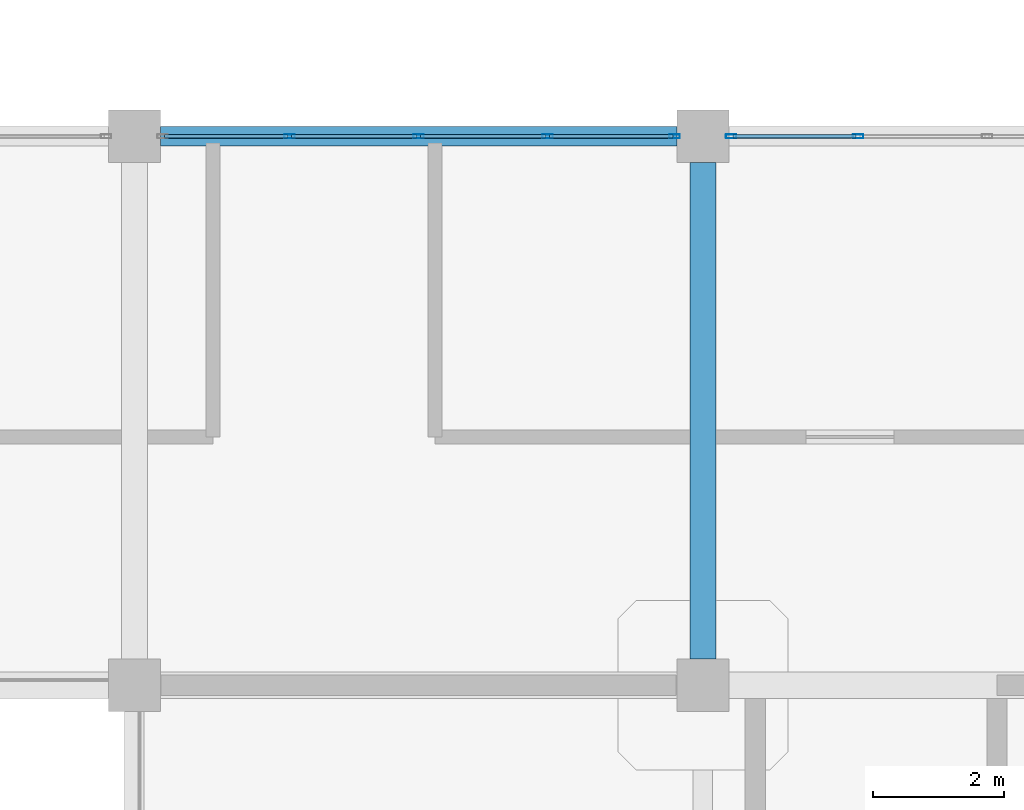
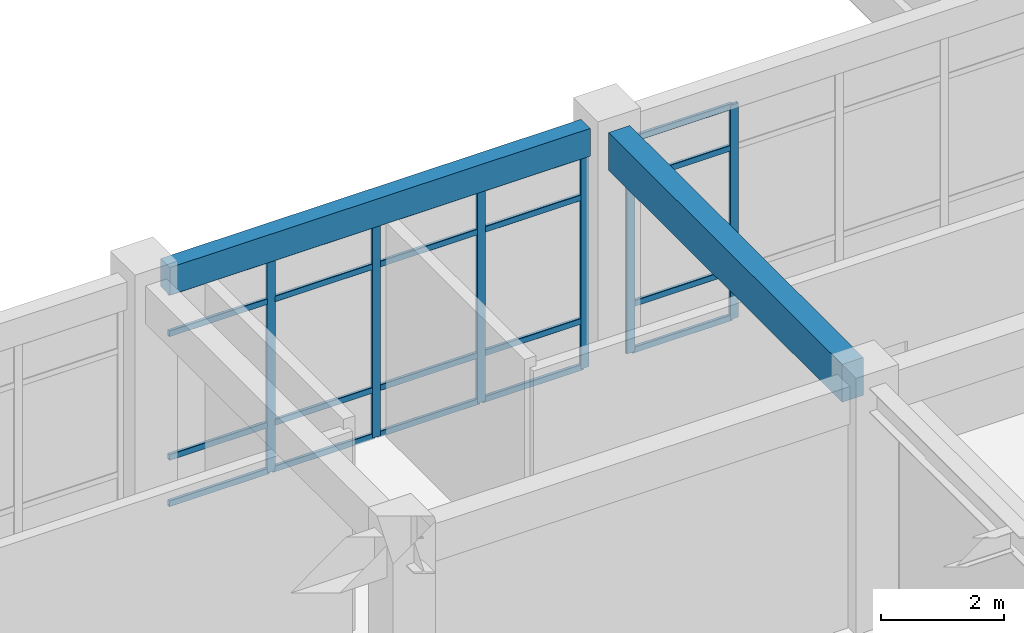
# One storey, part 50 of 96: 26 members, 2 beams, 2 elements without a shape of their own.
"""IFC4 building model written with IfcOpenShell, lengths in metres."""

import ifcopenshell
import ifcopenshell.guid

model = None  # the IFC model being written
_history = None  # IfcOwnerHistory: only IFC2X3 demands one
_inside = {}  # id of a spatial element -> (the spatial element, [elements in it])
_under = {}  # id of a project, library or spatial element -> (it, [spatial elements below it])
_declared = {}  # id of a project -> (the project, [libraries it declares])
_typed = {}  # id of a type object -> (the type object, [elements of that type])
_made_of = {}  # id of a material, layer set ... -> (it, [elements and type objects made of it])


def new_model(schema):
    """Start an empty IFC model of exactly this schema.

    Asked for "IFC4X3", IfcOpenShell would pick the latest addendum, in which some entities
    have other attributes; the version numbers below select the first issue.
    IFC2X3 requires an IfcOwnerHistory on every rooted entity: one is made here for all.
    """
    global model, _history
    if schema == "IFC4X3":
        model = ifcopenshell.file(schema_version=(4, 3, 0, 0))
    else:
        model = ifcopenshell.file(schema=schema)
    _inside.clear()
    _under.clear()
    _declared.clear()
    _typed.clear()
    _made_of.clear()
    _history = None
    if model.schema == "IFC2X3":
        org = make("IfcOrganization", Name="unknown")
        user = make(
            "IfcPersonAndOrganization",
            ThePerson=make("IfcPerson", FamilyName="unknown"),
            TheOrganization=org,
        )
        app = make(
            "IfcApplication",
            ApplicationDeveloper=org,
            Version="unknown",
            ApplicationFullName="unknown",
            ApplicationIdentifier="unknown",
        )
        _history = make(
            "IfcOwnerHistory",
            OwningUser=user,
            OwningApplication=app,
            ChangeAction="ADDED",
            CreationDate=0,
        )
    return model


def make(cls, **values):
    """One entity of the class cls with the attributes given. An attribute that is None is left unset."""
    return model.create_entity(
        cls, **{name: value for name, value in values.items() if value is not None}
    )


def rooted(cls, **values):
    """An entity with a GlobalId (a new one), such as an element, a storey or a relation."""
    return make(cls, GlobalId=ifcopenshell.guid.new(), OwnerHistory=_history, **values)


def si_unit(unit_type, name, prefix=None):
    """IfcSIUnit, for example si_unit("LENGTHUNIT", "METRE", prefix="MILLI")."""
    return make("IfcSIUnit", UnitType=unit_type, Prefix=prefix, Name=name)


def derived_unit(unit_type, elements):
    """IfcDerivedUnit: a product of units, each with its exponent."""
    return make(
        "IfcDerivedUnit",
        Elements=[
            make("IfcDerivedUnitElement", Unit=unit, Exponent=power)
            for unit, power in elements
        ],
        UnitType=unit_type,
    )


def assignment(units):
    """IfcUnitAssignment: the units of a project."""
    return None if units is None else make("IfcUnitAssignment", Units=units)


def point(xyz):
    """IfcCartesianPoint."""
    return None if xyz is None else make("IfcCartesianPoint", Coordinates=xyz)


def direction(xyz):
    """IfcDirection."""
    return None if xyz is None else make("IfcDirection", DirectionRatios=xyz)


def frame(location, z_axis=None, x_axis=None):
    """IfcAxis2Placement3D, a coordinate frame: its origin and axes. An axis left out is left unset."""
    return make(
        "IfcAxis2Placement3D",
        Location=point(location),
        Axis=direction(z_axis),
        RefDirection=direction(x_axis),
    )


def frame_2d(location, x_axis=None):
    """IfcAxis2Placement2D, a coordinate frame in the plane: its origin and x axis."""
    return make(
        "IfcAxis2Placement2D", Location=point(location), RefDirection=direction(x_axis)
    )


def origin():
    """The frame at (0, 0, 0) with its axes left unset."""
    return frame((0.0, 0.0, 0.0))


def origin_2d():
    """The frame at (0, 0) in the plane with its x axis left unset."""
    return frame_2d((0.0, 0.0))


def place(relative_to, where):
    """IfcLocalPlacement: puts the frame where relative to a parent placement (None: the world)."""
    return make(
        "IfcLocalPlacement", PlacementRelTo=relative_to, RelativePlacement=where
    )


def context(
    kind, dimensions, precision=None, world=None, true_north=None, identifier=None
):
    """IfcGeometricRepresentationContext, for example the 3D "Model" context."""
    return make(
        "IfcGeometricRepresentationContext",
        ContextIdentifier=identifier,
        ContextType=kind,
        CoordinateSpaceDimension=dimensions,
        Precision=precision,
        WorldCoordinateSystem=world,
        TrueNorth=true_north,
    )


def subcontext(parent, identifier, kind, view, scale=None):
    """IfcGeometricRepresentationSubContext, for example "Body" below "Model"."""
    return make(
        "IfcGeometricRepresentationSubContext",
        ContextIdentifier=identifier,
        ContextType=kind,
        ParentContext=parent,
        TargetScale=scale,
        TargetView=view,
    )


def project(units=None, contexts=None):
    """IfcProject with its units and contexts."""
    return rooted(
        "IfcProject",
        Name="project",
        RepresentationContexts=contexts,
        UnitsInContext=assignment(units),
    )


def spatial(cls, under=None, at=None, **own):
    """A site, building, storey or space (cls), placed at a placement, below another one or the project."""
    s = rooted(cls, ObjectPlacement=at, **own)
    if under is not None:
        _under.setdefault(under.id(), (under, []))[1].append(s)
    return s


def profile(cls, at=None, kind="AREA", **sizes):
    """A parametric profile (cls). Its sizes go by their IFC names, for example OverallWidth=200.0."""
    return make(cls, ProfileType=kind, Position=at, **sizes)


def rectangle(**sizes):
    """IfcRectangleProfileDef."""
    return profile("IfcRectangleProfileDef", **sizes)


def hollow_rectangle(**sizes):
    """IfcRectangleHollowProfileDef."""
    return profile("IfcRectangleHollowProfileDef", **sizes)


def extrude(swept, where, along, depth):
    """IfcExtrudedAreaSolid: the profile swept, set in the frame where, extruded along a direction by depth."""
    return make(
        "IfcExtrudedAreaSolid",
        SweptArea=swept,
        Position=where,
        ExtrudedDirection=direction(along),
        Depth=depth,
    )


def shape(context_of_items, identifier, shape_type, items):
    """IfcShapeRepresentation: the items that make up one representation, for example the "Body"."""
    return make(
        "IfcShapeRepresentation",
        ContextOfItems=context_of_items,
        RepresentationIdentifier=identifier,
        RepresentationType=shape_type,
        Items=items,
    )


def material(Name=None, Category=None):
    """IfcMaterial."""
    return make("IfcMaterial", Name=Name, Category=Category)


def layer(
    of_material, thickness, ventilated=None, Name=None, Category=None, Priority=None
):
    """IfcMaterialLayer: one layer of a wall or slab, of a material (None: an air gap)."""
    return make(
        "IfcMaterialLayer",
        Material=of_material,
        LayerThickness=thickness,
        IsVentilated=ventilated,
        Name=Name,
        Category=Category,
        Priority=Priority,
    )


def layer_set(layers, Name=None):
    """IfcMaterialLayerSet."""
    return make("IfcMaterialLayerSet", MaterialLayers=layers, LayerSetName=Name)


def material_profile(
    of_material, cross_section, Name=None, Category=None, Priority=None
):
    """IfcMaterialProfile: a cross section and its material."""
    return make(
        "IfcMaterialProfile",
        Name=Name,
        Material=of_material,
        Profile=cross_section,
        Priority=Priority,
        Category=Category,
    )


def profile_set(profiles, Name=None, composite=None):
    """IfcMaterialProfileSet."""
    return make(
        "IfcMaterialProfileSet",
        Name=Name,
        MaterialProfiles=profiles,
        CompositeProfile=composite,
    )


def made_of(thing, what):
    """Note that an element or type object is made of a material, layer set ...; save() writes the relation."""
    if what is not None:
        _made_of.setdefault(what.id(), (what, []))[1].append(thing)
    return thing


def type_object(cls, material=None, **own):
    """A type object (cls), such as IfcWallType, which elements share."""
    return made_of(rooted(cls, **own), material)


def element(
    cls,
    number,
    at=None,
    inside=None,
    cuts=None,
    type_object=None,
    material=None,
    context=None,
    identifier="Body",
    shape_type=None,
    held_by="IfcProductDefinitionShape",
    body=None,
    shapes=None,
    **own,
):
    """One element of the class cls, such as IfcWall. Its Tag is "e" and its number.

    at: its placement. inside: the storey or other place that contains it. cuts: it is an
    opening in that element (IfcRelVoidsElement). A single representation is given by context,
    identifier, shape_type and body (its items); several are given by shapes. held_by: the class
    of the entity that holds the representations. save() writes the other relations.
    """
    e = rooted(cls, Tag="e%d" % number, ObjectPlacement=at, **own)
    if body is not None:
        shapes = [shape(context, identifier, shape_type, body)]
    if shapes is not None:
        e.Representation = make(held_by, Representations=shapes)
    if inside is not None:
        _inside.setdefault(inside.id(), (inside, []))[1].append(e)
    if cuts is not None:
        rooted(
            "IfcRelVoidsElement", RelatingBuildingElement=cuts, RelatedOpeningElement=e
        )
    if type_object is not None:
        _typed.setdefault(type_object.id(), (type_object, []))[1].append(e)
    return made_of(e, material)


def aggregate(whole, parts):
    """IfcRelAggregates: a whole, such as a stair, and the parts it consists of."""
    return rooted("IfcRelAggregates", RelatingObject=whole, RelatedObjects=parts)


def save(model, path):
    """Write the relations noted so far, then the file.

    IfcRelAggregates (storeys below a building ...), IfcRelContainedInSpatialStructure (elements
    in a storey), IfcRelDefinesByType, IfcRelAssociatesMaterial and IfcRelDeclares: one each for
    every whole, place, type object, material and project.
    """
    for whole, parts in _under.values():
        aggregate(whole, parts)
    for where, things in _inside.values():
        rooted(
            "IfcRelContainedInSpatialStructure",
            RelatedElements=things,
            RelatingStructure=where,
        )
    for kind, things in _typed.values():
        rooted("IfcRelDefinesByType", RelatedObjects=things, RelatingType=kind)
    for what, things in _made_of.values():
        rooted("IfcRelAssociatesMaterial", RelatedObjects=things, RelatingMaterial=what)
    for by, libraries in _declared.values():
        rooted("IfcRelDeclares", RelatingContext=by, RelatedDefinitions=libraries)
    model.write(path)


model = new_model("IFC4")

# Units and contexts
model_context = context("Model", 3, precision=1e-05, world=origin(), true_north=direction((0.0, 1.0)))
body_context = subcontext(model_context, "Body", "Model", "MODEL_VIEW")
ifc_project = project(units=[si_unit("LENGTHUNIT", "METRE"), si_unit("AREAUNIT", "SQUARE_METRE"), si_unit("VOLUMEUNIT", "CUBIC_METRE"), si_unit("PLANEANGLEUNIT", "RADIAN"), si_unit("MASSUNIT", "GRAM", prefix="KILO"), derived_unit("THERMALTRANSMITTANCEUNIT", [(si_unit("MASSUNIT", "GRAM", prefix="KILO"), 1), (si_unit("TIMEUNIT", "SECOND"), -3), (si_unit("THERMODYNAMICTEMPERATUREUNIT", "KELVIN"), -1)])], contexts=[model_context])

# Site, building, storey
site_placement = place(None, origin())
site = spatial("IfcSite", under=ifc_project, at=site_placement, CompositionType="ELEMENT")
building_placement = place(site_placement, origin())
building = spatial("IfcBuilding", under=site, at=building_placement, Name="Qinzheling Arcade Emporium", CompositionType="ELEMENT")
storey_placement = place(building_placement, frame((0.0, 0.0, 21.60009765625)))
storey = spatial("IfcBuildingStorey", under=building, at=storey_placement, Name="L05", CompositionType="ELEMENT", Elevation=21.60009765625)

# Curtain wall, members
ifc_material_1 = material(Name="Anodised aluminium and solar-control double glazing", Category="aluminium")
ifc_layer = layer(ifc_material_1, 0.159912109375, Name="Anodised aluminium and solar-control double glazing", Category="aluminium")
ifc_layer_set = layer_set([ifc_layer], Name="Anodised aluminium and solar-control double glazing")
curtain_wall_type = type_object("IfcCurtainWallType", Name="Atrium Clerestory Curtain Wall", PredefinedType="NOTDEFINED", material=ifc_layer_set)
curtain_wall_1_placement = place(storey_placement, origin())
curtain_wall_1 = element("IfcCurtainWall", 1, at=curtain_wall_1_placement, inside=storey, type_object=curtain_wall_type, Name="Curtain Wall CW-L05-324", PredefinedType="NOTDEFINED")
ifc_material_2 = material(Name="Anodised aluminium 6063-T6", Category="aluminium")
ifc_material_profile_1 = material_profile(ifc_material_2, hollow_rectangle(XDim=0.06005859375, YDim=0.159912109375, WallThickness=0.00390625, InnerFilletRadius=0.00390625, OuterFilletRadius=0.008056640625, at=origin_2d()), Name="RHS 160x60x4", Category="aluminium")
ifc_profile_set_1 = profile_set([ifc_material_profile_1], Name="Anodised aluminium 6063-T6")
member_type_1 = type_object("IfcMemberType", Name="Curtain Wall Mullion RHS160x60", PredefinedType="MULLION", material=ifc_profile_set_1)
member_1_placement = place(storey_placement, frame((89.3759765625, 73.800048828125, 0.0), z_axis=(0.0, 0.0, 1.0), x_axis=(0.0, 1.0, 0.0)))
member_1 = element("IfcMember", 2, at=member_1_placement, type_object=member_type_1, Name="CW03 mullion 2", PredefinedType="MULLION", context=body_context, shape_type="SweptSolid", body=[
    extrude(hollow_rectangle(XDim=0.06005859375, YDim=0.159912109375, WallThickness=0.00390625, InnerFilletRadius=0.00390625, OuterFilletRadius=0.008056640625, at=origin_2d()), origin(), (0.0, 0.0, 1.0), 4.2548828125),
])
member_2_placement = place(storey_placement, frame((91.35009765625, 73.800048828125, 0.0), z_axis=(0.0, 0.0, 1.0), x_axis=(0.0, 1.0, 0.0)))
member_2 = element("IfcMember", 3, at=member_2_placement, type_object=member_type_1, Name="CW03 mullion 3", PredefinedType="MULLION", context=body_context, shape_type="SweptSolid", body=[
    extrude(hollow_rectangle(XDim=0.06005859375, YDim=0.159912109375, WallThickness=0.00390625, InnerFilletRadius=0.00390625, OuterFilletRadius=0.008056640625, at=origin_2d()), origin(), (0.0, 0.0, 1.0), 4.2548828125),
])
member_3_placement = place(storey_placement, frame((93.323974609375, 73.800048828125, 0.0), z_axis=(0.0, 0.0, 1.0), x_axis=(0.0, 1.0, 0.0)))
member_3 = element("IfcMember", 4, at=member_3_placement, type_object=member_type_1, Name="CW03 mullion 4", PredefinedType="MULLION", context=body_context, shape_type="SweptSolid", body=[
    extrude(hollow_rectangle(XDim=0.06005859375, YDim=0.159912109375, WallThickness=0.00390625, InnerFilletRadius=0.00390625, OuterFilletRadius=0.008056640625, at=origin_2d()), origin(), (0.0, 0.0, 1.0), 4.2548828125),
])
member_4_placement = place(storey_placement, frame((95.26806640625, 73.800048828125, 0.0), z_axis=(0.0, 0.0, 1.0), x_axis=(0.0, 1.0, 0.0)))
member_4 = element("IfcMember", 5, at=member_4_placement, type_object=member_type_1, Name="CW03 mullion 5", PredefinedType="MULLION", context=body_context, shape_type="SweptSolid", body=[
    extrude(hollow_rectangle(XDim=0.06005859375, YDim=0.159912109375, WallThickness=0.00390625, InnerFilletRadius=0.00390625, OuterFilletRadius=0.008056640625, at=origin_2d()), origin(), (0.0, 0.0, 1.0), 4.2548828125),
])

curtain_wall_2_placement = place(storey_placement, origin())
curtain_wall_2 = element("IfcCurtainWall", 6, at=curtain_wall_2_placement, inside=storey, type_object=curtain_wall_type, Name="Curtain Wall CW-L05-325", PredefinedType="NOTDEFINED")
member_5_placement = place(storey_placement, frame((96.132080078125, 73.800048828125, 0.0), z_axis=(0.0, 0.0, 1.0), x_axis=(0.0, 1.0, 0.0)))
member_5 = element("IfcMember", 7, at=member_5_placement, type_object=member_type_1, Name="CW03 mullion 1", PredefinedType="MULLION", context=body_context, shape_type="SweptSolid", body=[
    extrude(hollow_rectangle(XDim=0.06005859375, YDim=0.159912109375, WallThickness=0.00390625, InnerFilletRadius=0.00390625, OuterFilletRadius=0.008056640625, at=origin_2d()), origin(), (0.0, 0.0, 1.0), 4.2548828125),
])
member_6_placement = place(storey_placement, frame((98.075927734375, 73.800048828125, 0.0), z_axis=(0.0, 0.0, 1.0), x_axis=(0.0, 1.0, 0.0)))
member_6 = element("IfcMember", 8, at=member_6_placement, type_object=member_type_1, Name="CW03 mullion 2", PredefinedType="MULLION", context=body_context, shape_type="SweptSolid", body=[
    extrude(hollow_rectangle(XDim=0.06005859375, YDim=0.159912109375, WallThickness=0.00390625, InnerFilletRadius=0.00390625, OuterFilletRadius=0.008056640625, at=origin_2d()), origin(), (0.0, 0.0, 1.0), 4.2548828125),
])

# Member
ifc_material_profile_2 = material_profile(ifc_material_2, hollow_rectangle(XDim=0.06005859375, YDim=0.1201171875, WallThickness=0.00390625, InnerFilletRadius=0.00390625, OuterFilletRadius=0.008056640625, at=origin_2d()), Name="RHS 120x60x4", Category="aluminium")
ifc_profile_set_2 = profile_set([ifc_material_profile_2], Name="Anodised aluminium 6063-T6")
member_type_2 = type_object("IfcMemberType", Name="Curtain Wall Transom RHS120x60", PredefinedType="USERDEFINED", material=ifc_profile_set_2)
member_7_placement = place(storey_placement, frame((87.4619140625, 73.800048828125, 0.02978515625), z_axis=(1.0, 0.0, 0.0), x_axis=(0.0, 1.0, 0.0)))
member_7 = element("IfcMember", 9, at=member_7_placement, type_object=member_type_2, Name="CW03 transom 1.1", ObjectType="TRANSOM", PredefinedType="USERDEFINED", context=body_context, shape_type="SweptSolid", body=[
    extrude(hollow_rectangle(XDim=0.06005859375, YDim=0.1201171875, WallThickness=0.00390625, InnerFilletRadius=0.00390625, OuterFilletRadius=0.008056640625, at=origin_2d()), origin(), (0.0, 0.0, 1.0), 1.884033203125),
])

member_8_placement = place(storey_placement, frame((87.4619140625, 73.800048828125, 0.949951171875), z_axis=(1.0, 0.0, 0.0), x_axis=(0.0, 1.0, 0.0)))
member_8 = element("IfcMember", 10, at=member_8_placement, type_object=member_type_2, Name="CW03 transom 1.2", ObjectType="TRANSOM", PredefinedType="USERDEFINED", context=body_context, shape_type="SweptSolid", body=[
    extrude(hollow_rectangle(XDim=0.06005859375, YDim=0.1201171875, WallThickness=0.00390625, InnerFilletRadius=0.00390625, OuterFilletRadius=0.008056640625, at=origin_2d()), origin(), (0.0, 0.0, 1.0), 1.884033203125),
])

member_9_placement = place(storey_placement, frame((87.4619140625, 73.800048828125, 3.40478515625), z_axis=(1.0, 0.0, 0.0), x_axis=(0.0, 1.0, 0.0)))
member_9 = element("IfcMember", 11, at=member_9_placement, type_object=member_type_2, Name="CW03 transom 1.3", ObjectType="TRANSOM", PredefinedType="USERDEFINED", context=body_context, shape_type="SweptSolid", body=[
    extrude(hollow_rectangle(XDim=0.06005859375, YDim=0.1201171875, WallThickness=0.00390625, InnerFilletRadius=0.00390625, OuterFilletRadius=0.008056640625, at=origin_2d()), origin(), (0.0, 0.0, 1.0), 1.884033203125),
])

member_10_placement = place(storey_placement, frame((87.4619140625, 73.800048828125, 4.224853515625), z_axis=(1.0, 0.0, 0.0), x_axis=(0.0, 1.0, 0.0)))
member_10 = element("IfcMember", 12, at=member_10_placement, type_object=member_type_2, Name="CW03 transom 1.4", ObjectType="TRANSOM", PredefinedType="USERDEFINED", context=body_context, shape_type="SweptSolid", body=[
    extrude(hollow_rectangle(XDim=0.06005859375, YDim=0.1201171875, WallThickness=0.00390625, InnerFilletRadius=0.00390625, OuterFilletRadius=0.008056640625, at=origin_2d()), origin(), (0.0, 0.0, 1.0), 1.884033203125),
])

member_11_placement = place(storey_placement, frame((89.406005859375, 73.800048828125, 0.02978515625), z_axis=(1.0, 0.0, 0.0), x_axis=(0.0, 1.0, 0.0)))
member_11 = element("IfcMember", 13, at=member_11_placement, type_object=member_type_2, Name="CW03 transom 2.1", ObjectType="TRANSOM", PredefinedType="USERDEFINED", context=body_context, shape_type="SweptSolid", body=[
    extrude(hollow_rectangle(XDim=0.06005859375, YDim=0.1201171875, WallThickness=0.00390625, InnerFilletRadius=0.00390625, OuterFilletRadius=0.008056640625, at=origin_2d()), origin(), (0.0, 0.0, 1.0), 1.9140625),
])

member_12_placement = place(storey_placement, frame((89.406005859375, 73.800048828125, 0.949951171875), z_axis=(1.0, 0.0, 0.0), x_axis=(0.0, 1.0, 0.0)))
member_12 = element("IfcMember", 14, at=member_12_placement, type_object=member_type_2, Name="CW03 transom 2.2", ObjectType="TRANSOM", PredefinedType="USERDEFINED", context=body_context, shape_type="SweptSolid", body=[
    extrude(hollow_rectangle(XDim=0.06005859375, YDim=0.1201171875, WallThickness=0.00390625, InnerFilletRadius=0.00390625, OuterFilletRadius=0.008056640625, at=origin_2d()), origin(), (0.0, 0.0, 1.0), 1.9140625),
])

member_13_placement = place(storey_placement, frame((89.406005859375, 73.800048828125, 3.40478515625), z_axis=(1.0, 0.0, 0.0), x_axis=(0.0, 1.0, 0.0)))
member_13 = element("IfcMember", 15, at=member_13_placement, type_object=member_type_2, Name="CW03 transom 2.3", ObjectType="TRANSOM", PredefinedType="USERDEFINED", context=body_context, shape_type="SweptSolid", body=[
    extrude(hollow_rectangle(XDim=0.06005859375, YDim=0.1201171875, WallThickness=0.00390625, InnerFilletRadius=0.00390625, OuterFilletRadius=0.008056640625, at=origin_2d()), origin(), (0.0, 0.0, 1.0), 1.9140625),
])

member_14_placement = place(storey_placement, frame((89.406005859375, 73.800048828125, 4.224853515625), z_axis=(1.0, 0.0, 0.0), x_axis=(0.0, 1.0, 0.0)))
member_14 = element("IfcMember", 16, at=member_14_placement, type_object=member_type_2, Name="CW03 transom 2.4", ObjectType="TRANSOM", PredefinedType="USERDEFINED", context=body_context, shape_type="SweptSolid", body=[
    extrude(hollow_rectangle(XDim=0.06005859375, YDim=0.1201171875, WallThickness=0.00390625, InnerFilletRadius=0.00390625, OuterFilletRadius=0.008056640625, at=origin_2d()), origin(), (0.0, 0.0, 1.0), 1.9140625),
])

member_15_placement = place(storey_placement, frame((91.3798828125, 73.800048828125, 0.02978515625), z_axis=(1.0, 0.0, 0.0), x_axis=(0.0, 1.0, 0.0)))
member_15 = element("IfcMember", 17, at=member_15_placement, type_object=member_type_2, Name="CW03 transom 3.1", ObjectType="TRANSOM", PredefinedType="USERDEFINED", context=body_context, shape_type="SweptSolid", body=[
    extrude(hollow_rectangle(XDim=0.06005859375, YDim=0.1201171875, WallThickness=0.00390625, InnerFilletRadius=0.00390625, OuterFilletRadius=0.008056640625, at=origin_2d()), origin(), (0.0, 0.0, 1.0), 1.9140625),
])

member_16_placement = place(storey_placement, frame((91.3798828125, 73.800048828125, 0.949951171875), z_axis=(1.0, 0.0, 0.0), x_axis=(0.0, 1.0, 0.0)))
member_16 = element("IfcMember", 18, at=member_16_placement, type_object=member_type_2, Name="CW03 transom 3.2", ObjectType="TRANSOM", PredefinedType="USERDEFINED", context=body_context, shape_type="SweptSolid", body=[
    extrude(hollow_rectangle(XDim=0.06005859375, YDim=0.1201171875, WallThickness=0.00390625, InnerFilletRadius=0.00390625, OuterFilletRadius=0.008056640625, at=origin_2d()), origin(), (0.0, 0.0, 1.0), 1.9140625),
])

member_17_placement = place(storey_placement, frame((91.3798828125, 73.800048828125, 3.40478515625), z_axis=(1.0, 0.0, 0.0), x_axis=(0.0, 1.0, 0.0)))
member_17 = element("IfcMember", 19, at=member_17_placement, type_object=member_type_2, Name="CW03 transom 3.3", ObjectType="TRANSOM", PredefinedType="USERDEFINED", context=body_context, shape_type="SweptSolid", body=[
    extrude(hollow_rectangle(XDim=0.06005859375, YDim=0.1201171875, WallThickness=0.00390625, InnerFilletRadius=0.00390625, OuterFilletRadius=0.008056640625, at=origin_2d()), origin(), (0.0, 0.0, 1.0), 1.9140625),
])

member_18_placement = place(storey_placement, frame((91.3798828125, 73.800048828125, 4.224853515625), z_axis=(1.0, 0.0, 0.0), x_axis=(0.0, 1.0, 0.0)))
member_18 = element("IfcMember", 20, at=member_18_placement, type_object=member_type_2, Name="CW03 transom 3.4", ObjectType="TRANSOM", PredefinedType="USERDEFINED", context=body_context, shape_type="SweptSolid", body=[
    extrude(hollow_rectangle(XDim=0.06005859375, YDim=0.1201171875, WallThickness=0.00390625, InnerFilletRadius=0.00390625, OuterFilletRadius=0.008056640625, at=origin_2d()), origin(), (0.0, 0.0, 1.0), 1.9140625),
])

member_19_placement = place(storey_placement, frame((93.35400390625, 73.800048828125, 0.02978515625), z_axis=(1.0, 0.0, 0.0), x_axis=(0.0, 1.0, 0.0)))
member_19 = element("IfcMember", 21, at=member_19_placement, type_object=member_type_2, Name="CW03 transom 4.1", ObjectType="TRANSOM", PredefinedType="USERDEFINED", context=body_context, shape_type="SweptSolid", body=[
    extrude(hollow_rectangle(XDim=0.06005859375, YDim=0.1201171875, WallThickness=0.00390625, InnerFilletRadius=0.00390625, OuterFilletRadius=0.008056640625, at=origin_2d()), origin(), (0.0, 0.0, 1.0), 1.884033203125),
])

member_20_placement = place(storey_placement, frame((93.35400390625, 73.800048828125, 0.949951171875), z_axis=(1.0, 0.0, 0.0), x_axis=(0.0, 1.0, 0.0)))
member_20 = element("IfcMember", 22, at=member_20_placement, type_object=member_type_2, Name="CW03 transom 4.2", ObjectType="TRANSOM", PredefinedType="USERDEFINED", context=body_context, shape_type="SweptSolid", body=[
    extrude(hollow_rectangle(XDim=0.06005859375, YDim=0.1201171875, WallThickness=0.00390625, InnerFilletRadius=0.00390625, OuterFilletRadius=0.008056640625, at=origin_2d()), origin(), (0.0, 0.0, 1.0), 1.884033203125),
])

member_21_placement = place(storey_placement, frame((93.35400390625, 73.800048828125, 3.40478515625), z_axis=(1.0, 0.0, 0.0), x_axis=(0.0, 1.0, 0.0)))
member_21 = element("IfcMember", 23, at=member_21_placement, type_object=member_type_2, Name="CW03 transom 4.3", ObjectType="TRANSOM", PredefinedType="USERDEFINED", context=body_context, shape_type="SweptSolid", body=[
    extrude(hollow_rectangle(XDim=0.06005859375, YDim=0.1201171875, WallThickness=0.00390625, InnerFilletRadius=0.00390625, OuterFilletRadius=0.008056640625, at=origin_2d()), origin(), (0.0, 0.0, 1.0), 1.884033203125),
])

member_22_placement = place(storey_placement, frame((93.35400390625, 73.800048828125, 4.224853515625), z_axis=(1.0, 0.0, 0.0), x_axis=(0.0, 1.0, 0.0)))
member_22 = element("IfcMember", 24, at=member_22_placement, type_object=member_type_2, Name="CW03 transom 4.4", ObjectType="TRANSOM", PredefinedType="USERDEFINED", context=body_context, shape_type="SweptSolid", body=[
    extrude(hollow_rectangle(XDim=0.06005859375, YDim=0.1201171875, WallThickness=0.00390625, InnerFilletRadius=0.00390625, OuterFilletRadius=0.008056640625, at=origin_2d()), origin(), (0.0, 0.0, 1.0), 1.884033203125),
])

aggregate(curtain_wall_1, [member_1, member_2, member_3, member_4, member_7, member_8, member_9, member_10, member_11, member_12, member_13, member_14, member_15, member_16, member_17, member_18, member_19, member_20, member_21, member_22])

member_23_placement = place(storey_placement, frame((96.162109375, 73.800048828125, 0.02978515625), z_axis=(1.0, 0.0, 0.0), x_axis=(0.0, 1.0, 0.0)))
member_23 = element("IfcMember", 25, at=member_23_placement, type_object=member_type_2, Name="CW03 transom 1.1", ObjectType="TRANSOM", PredefinedType="USERDEFINED", context=body_context, shape_type="SweptSolid", body=[
    extrude(hollow_rectangle(XDim=0.06005859375, YDim=0.1201171875, WallThickness=0.00390625, InnerFilletRadius=0.00390625, OuterFilletRadius=0.008056640625, at=origin_2d()), origin(), (0.0, 0.0, 1.0), 1.8837890625),
])

member_24_placement = place(storey_placement, frame((96.162109375, 73.800048828125, 0.949951171875), z_axis=(1.0, 0.0, 0.0), x_axis=(0.0, 1.0, 0.0)))
member_24 = element("IfcMember", 26, at=member_24_placement, type_object=member_type_2, Name="CW03 transom 1.2", ObjectType="TRANSOM", PredefinedType="USERDEFINED", context=body_context, shape_type="SweptSolid", body=[
    extrude(hollow_rectangle(XDim=0.06005859375, YDim=0.1201171875, WallThickness=0.00390625, InnerFilletRadius=0.00390625, OuterFilletRadius=0.008056640625, at=origin_2d()), origin(), (0.0, 0.0, 1.0), 1.8837890625),
])

member_25_placement = place(storey_placement, frame((96.162109375, 73.800048828125, 3.40478515625), z_axis=(1.0, 0.0, 0.0), x_axis=(0.0, 1.0, 0.0)))
member_25 = element("IfcMember", 27, at=member_25_placement, type_object=member_type_2, Name="CW03 transom 1.3", ObjectType="TRANSOM", PredefinedType="USERDEFINED", context=body_context, shape_type="SweptSolid", body=[
    extrude(hollow_rectangle(XDim=0.06005859375, YDim=0.1201171875, WallThickness=0.00390625, InnerFilletRadius=0.00390625, OuterFilletRadius=0.008056640625, at=origin_2d()), origin(), (0.0, 0.0, 1.0), 1.8837890625),
])

member_26_placement = place(storey_placement, frame((96.162109375, 73.800048828125, 4.224853515625), z_axis=(1.0, 0.0, 0.0), x_axis=(0.0, 1.0, 0.0)))
member_26 = element("IfcMember", 28, at=member_26_placement, type_object=member_type_2, Name="CW03 transom 1.4", ObjectType="TRANSOM", PredefinedType="USERDEFINED", context=body_context, shape_type="SweptSolid", body=[
    extrude(hollow_rectangle(XDim=0.06005859375, YDim=0.1201171875, WallThickness=0.00390625, InnerFilletRadius=0.00390625, OuterFilletRadius=0.008056640625, at=origin_2d()), origin(), (0.0, 0.0, 1.0), 1.8837890625),
])

aggregate(curtain_wall_2, [member_5, member_6, member_23, member_24, member_25, member_26])

# Beams
ifc_material_3 = material(Name="Concrete C40", Category="concrete")
ifc_material_profile_3 = material_profile(ifc_material_3, rectangle(XDim=0.39990234375, YDim=0.75, at=origin_2d()), Name="RC 400x750", Category="concrete")
ifc_profile_set_3 = profile_set([ifc_material_profile_3], Name="Concrete C40")
beam_type_1 = type_object("IfcBeamType", Name="RC Interior Tie Beam 400x750 C40", PredefinedType="BEAM", material=ifc_profile_set_3)
beam_1_placement = place(storey_placement, frame((95.699951171875, 65.800048828125, 4.44482421875), z_axis=(0.0, 1.0, 0.0), x_axis=(-1.0, 0.0, 0.0)))
element("IfcBeam", 29, at=beam_1_placement, inside=storey, type_object=beam_type_1, Name="Beam BM-L05-Y-12-H", PredefinedType="BEAM", context=body_context, shape_type="SweptSolid", body=[
    extrude(rectangle(XDim=0.39990234375, YDim=0.75, at=origin_2d()), origin(), (0.0, 0.0, 1.0), 7.599853515625),
])
ifc_material_profile_4 = material_profile(ifc_material_3, rectangle(XDim=0.300048828125, YDim=0.550048828125, at=origin_2d()), Name="RC 300x550", Category="concrete")
ifc_profile_set_4 = profile_set([ifc_material_profile_4], Name="Concrete C40")
beam_type_2 = type_object("IfcBeamType", Name="RC Terrace Spandrel Beam 300x550 C40", PredefinedType="SPANDREL", material=ifc_profile_set_4)
beam_2_placement = place(storey_placement, frame((87.39990234375, 73.800048828125, 4.544921875), z_axis=(1.0, 0.0, 0.0), x_axis=(0.0, 1.0, 0.0)))
element("IfcBeam", 30, at=beam_2_placement, inside=storey, type_object=beam_type_2, Name="Beam BM-L05-X-J-11", PredefinedType="SPANDREL", context=body_context, shape_type="SweptSolid", body=[
    extrude(rectangle(XDim=0.300048828125, YDim=0.550048828125, at=origin_2d()), origin(), (0.0, 0.0, 1.0), 7.900146484375),
])

save(model, "model.ifc")
